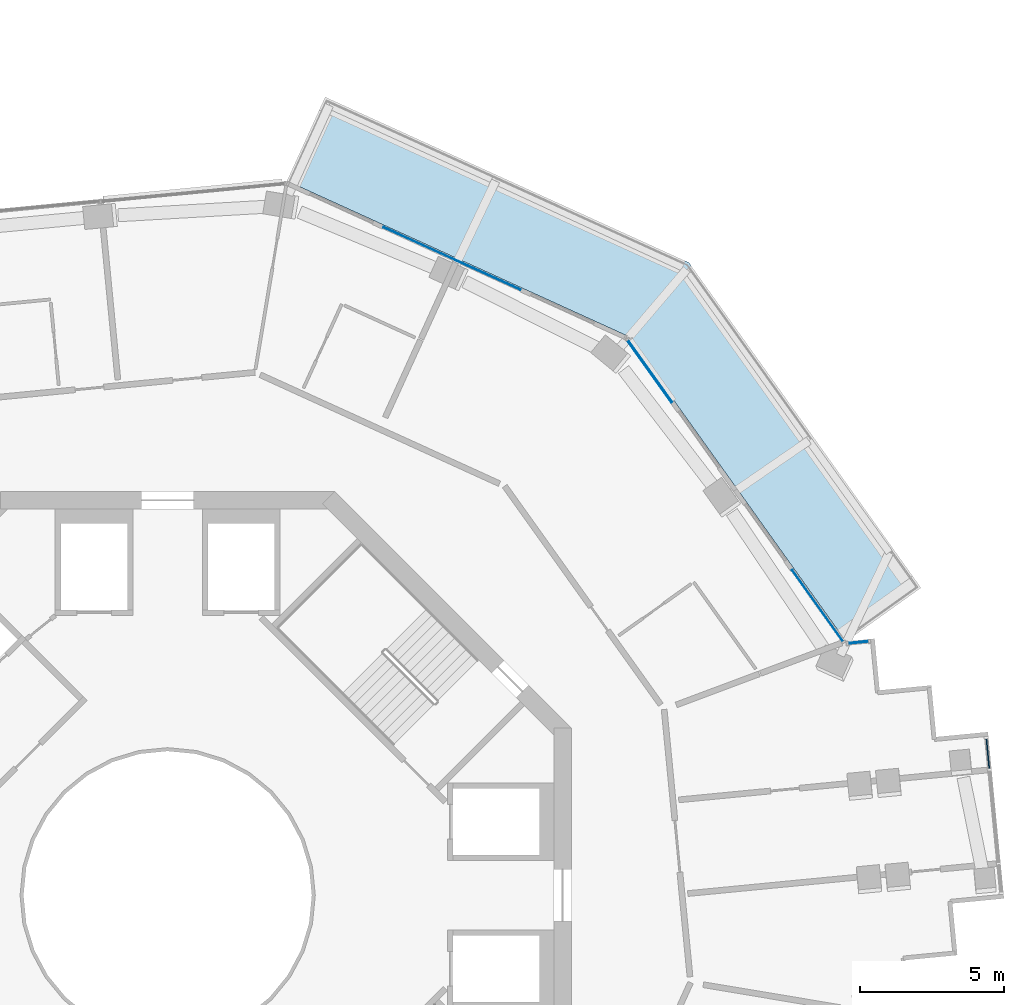
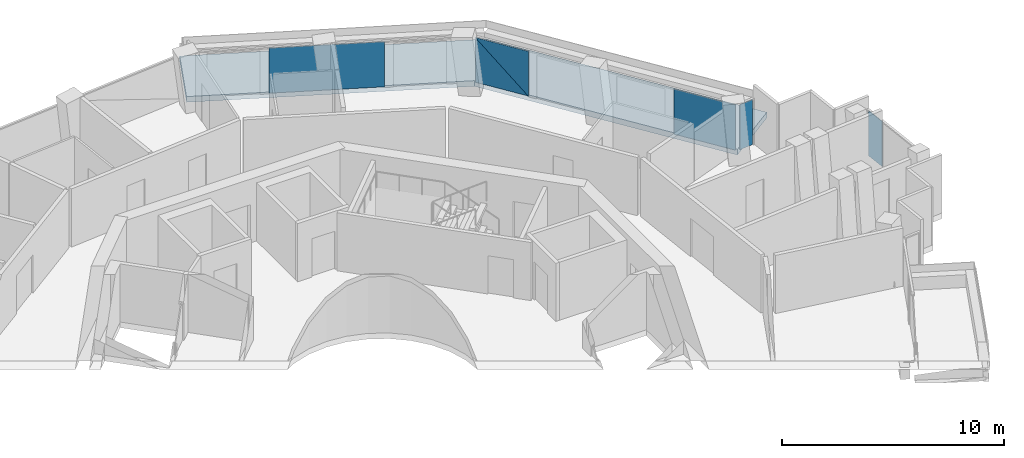
# One storey, part 14 of 22: 6 plates, 1 slab, 4 elements without a shape of their own.
"""IFC4 building model written with IfcOpenShell, lengths in metres."""

from ifc_helpers import new_model, si_unit, direction, frame, origin, origin_2d, place, context, subcontext, project, spatial, polyline, rectangle, outline, extrude, material, layer, layer_set, type_object, element, aggregate, save


model = new_model("IFC4")

# Units and contexts
model_context = context("Model", 3, precision=1e-05, world=origin(), true_north=direction((0.0, 1.0)))
body_context = subcontext(model_context, "Body", "Model", "MODEL_VIEW")
ifc_project = project(units=[si_unit("LENGTHUNIT", "METRE"), si_unit("AREAUNIT", "SQUARE_METRE"), si_unit("VOLUMEUNIT", "CUBIC_METRE"), si_unit("PLANEANGLEUNIT", "RADIAN"), si_unit("MASSUNIT", "GRAM", prefix="KILO")], contexts=[model_context])

# Site, building, storey
site_placement = place(None, origin())
site = spatial("IfcSite", under=ifc_project, at=site_placement, CompositionType="ELEMENT")
building_placement = place(site_placement, origin())
building = spatial("IfcBuilding", under=site, at=building_placement, Name="Verdalira Terraces Hotel", CompositionType="ELEMENT")
storey_placement = place(building_placement, frame((0.0, 0.0, 180.0)))
storey = spatial("IfcBuildingStorey", under=building, at=storey_placement, Name="L43", CompositionType="ELEMENT", Elevation=180.0)

# Slab
ifc_material_1 = material(Name="Precast concrete C40/50", Category="concrete")
ifc_layer_1 = layer(ifc_material_1, 0.31005859375)
ifc_layer_set_1 = layer_set([ifc_layer_1], Name="Balcony deck 310")
slab_type = type_object("IfcSlabType", Name="Balcony deck 310", PredefinedType="FLOOR", material=ifc_layer_set_1)
slab_placement = place(storey_placement, frame((0.0, 0.0, -0.310059)))
element("IfcSlab", 1, at=slab_placement, inside=storey, type_object=slab_type, Name="Balcony deck", PredefinedType="FLOOR", context=body_context, shape_type="SweptSolid", body=[
    extrude(outline(polyline([(5.462402, 27.68335), (4.136475, 24.770996), (15.967773, 19.384277), (23.520508, 8.803223), (26.125, 10.662598), (18.074219, 21.941162), (5.462402, 27.68335)])), origin(), (0.0, 0.0, 1.0), 0.310059),
])

# Curtain wall, plates
ifc_material_2 = material(Name="Clear glass", Category="glass")
ifc_layer_2 = layer(ifc_material_2, 0.14990234375)
ifc_layer_set_2 = layer_set([ifc_layer_2], Name="CW1 curtain wall")
curtain_wall_type_1 = type_object("IfcCurtainWallType", Name="CW1 curtain wall", PredefinedType="NOTDEFINED", material=ifc_layer_set_2)
curtain_wall_1_placement = place(storey_placement, origin())
curtain_wall_1 = element("IfcCurtainWall", 2, at=curtain_wall_1_placement, inside=storey, type_object=curtain_wall_type_1, Name="CW1 curtain wall L43 edge 39", PredefinedType="NOTDEFINED")
ifc_material_3 = material(Name="Clear glass", Category="glass")
ifc_layer_3 = layer(ifc_material_3, 0.028076171875)
ifc_layer_set_3 = layer_set([ifc_layer_3], Name="CW1 glass unit 28")
plate_type_1 = type_object("IfcPlateType", Name="CW1 glass unit 28", PredefinedType="CURTAIN_PANEL", material=ifc_layer_set_3)
plate_1_placement = place(storey_placement, frame((22.541504, 10.045654, 0.0), z_axis=(0.0, 0.0, 1.0), x_axis=(-0.5809871, 0.813912765, 0.0)))
plate_1 = element("IfcPlate", 3, at=plate_1_placement, type_object=plate_type_1, Name="CW1 glass unit", PredefinedType="CURTAIN_PANEL", context=body_context, shape_type="SweptSolid", body=[
    extrude(rectangle(XDim=3.040039, YDim=0.028076, at=origin_2d()), origin(), (0.0, 0.0, 1.0), 2.475098),
])
plate_2_placement = place(storey_placement, frame((16.719971, 18.177246, 1.237549), z_axis=(0.813912765, 0.5809871, 0.0), x_axis=(-0.5809871, 0.813912765, 0.0)))
plate_2 = element("IfcPlate", 4, at=plate_2_placement, type_object=plate_type_1, Name="CW1 glass unit", PredefinedType="CURTAIN_PANEL", context=body_context, shape_type="SweptSolid", body=[
    extrude(outline(polyline([(-1.319336, -1.237549), (1.319336, -1.237549), (1.319336, 1.237549), (-1.319336, -1.237549)])), origin(), (0.0, 0.0, 1.0), 0.028076),
])
plate_3_placement = place(storey_placement, frame((16.696289, 18.160156, 1.237549), z_axis=(0.813912765, 0.5809871, 0.0), x_axis=(-0.5809871, 0.813912765, 0.0)))
plate_3 = element("IfcPlate", 5, at=plate_3_placement, type_object=plate_type_1, Name="CW1 glass unit", PredefinedType="CURTAIN_PANEL", context=body_context, shape_type="SweptSolid", body=[
    extrude(outline(polyline([(-1.319336, -1.237549), (1.319336, 1.237549), (-1.319336, 1.237549), (-1.319336, -1.237549)])), origin(), (0.0, 0.0, 1.0), 0.028076),
])
aggregate(curtain_wall_1, [plate_1, plate_2, plate_3])

# Curtain wall, plate
curtain_wall_2_placement = place(storey_placement, origin())
curtain_wall_2 = element("IfcCurtainWall", 6, at=curtain_wall_2_placement, inside=storey, type_object=curtain_wall_type_1, Name="CW1 curtain wall L43 edge 40", PredefinedType="NOTDEFINED")
plate_4_placement = place(storey_placement, frame((9.85791, 22.08374, 0.0), z_axis=(0.0, 0.0, 1.0), x_axis=(-0.910105971, 0.414375581, 0.0)))
plate_4 = element("IfcPlate", 7, at=plate_4_placement, type_object=plate_type_1, Name="CW1 glass unit", PredefinedType="CURTAIN_PANEL", context=body_context, shape_type="SweptSolid", body=[
    extrude(rectangle(XDim=5.223633, YDim=0.028076, at=origin_2d()), origin(), (0.0, 0.0, 1.0), 2.475098),
])
aggregate(curtain_wall_2, [plate_4])

ifc_material_4 = material(Name="Clear glass", Category="glass")
ifc_layer_4 = layer(ifc_material_4, 0.14990234375)
ifc_layer_set_4 = layer_set([ifc_layer_4], Name="CW2 curtain wall")
curtain_wall_type_2 = type_object("IfcCurtainWallType", Name="CW2 curtain wall", PredefinedType="NOTDEFINED", material=ifc_layer_set_4)
curtain_wall_3_placement = place(storey_placement, origin())
curtain_wall_3 = element("IfcCurtainWall", 8, at=curtain_wall_3_placement, inside=storey, type_object=curtain_wall_type_2, Name="CW2 curtain wall L43 edge 38", PredefinedType="NOTDEFINED")
ifc_material_5 = material(Name="Clear glass", Category="glass")
ifc_layer_5 = layer(ifc_material_5, 0.031982421875)
ifc_layer_set_5 = layer_set([ifc_layer_5], Name="CW2 glass unit 32")
plate_type_2 = type_object("IfcPlateType", Name="CW2 glass unit 32", PredefinedType="CURTAIN_PANEL", material=ifc_layer_set_5)
plate_5_placement = place(storey_placement, frame((23.950928, 8.769531, 0.0), z_axis=(0.0, 0.0, 1.0), x_axis=(-0.995362681, -0.096193205, 0.0)))
plate_5 = element("IfcPlate", 9, at=plate_5_placement, type_object=plate_type_2, Name="CW2 glass unit", PredefinedType="CURTAIN_PANEL", context=body_context, shape_type="SweptSolid", body=[
    extrude(rectangle(XDim=0.709961, YDim=0.031982, at=origin_2d()), origin(), (0.0, 0.0, 1.0), 2.475098),
])
aggregate(curtain_wall_3, [plate_5])

ifc_material_6 = material(Name="Clear glass", Category="glass")
ifc_layer_6 = layer(ifc_material_6, 0.14990234375)
ifc_layer_set_6 = layer_set([ifc_layer_6], Name="CW3 curtain wall")
curtain_wall_type_3 = type_object("IfcCurtainWallType", Name="CW3 curtain wall", PredefinedType="NOTDEFINED", material=ifc_layer_set_6)
curtain_wall_4_placement = place(storey_placement, origin())
curtain_wall_4 = element("IfcCurtainWall", 10, at=curtain_wall_4_placement, inside=storey, type_object=curtain_wall_type_3, Name="CW3 curtain wall L43 edge 33", PredefinedType="NOTDEFINED")
ifc_material_7 = material(Name="Clear glass", Category="glass")
ifc_layer_7 = layer(ifc_material_7, 0.035888671875)
ifc_layer_set_7 = layer_set([ifc_layer_7], Name="CW3 glass unit 36")
plate_type_3 = type_object("IfcPlateType", Name="CW3 glass unit 36", PredefinedType="CURTAIN_PANEL", material=ifc_layer_set_7)
plate_6_placement = place(storey_placement, frame((28.443115, 4.908203, 0.0), z_axis=(0.0, 0.0, 1.0), x_axis=(-0.096193205, 0.995362681, 0.0)))
plate_6 = element("IfcPlate", 11, at=plate_6_placement, type_object=plate_type_3, Name="CW3 glass unit", PredefinedType="CURTAIN_PANEL", context=body_context, shape_type="SweptSolid", body=[
    extrude(rectangle(XDim=1.041016, YDim=0.035889, at=origin_2d()), origin(), (0.0, 0.0, 1.0), 2.475098),
])
aggregate(curtain_wall_4, [plate_6])

save(model, "model.ifc")
